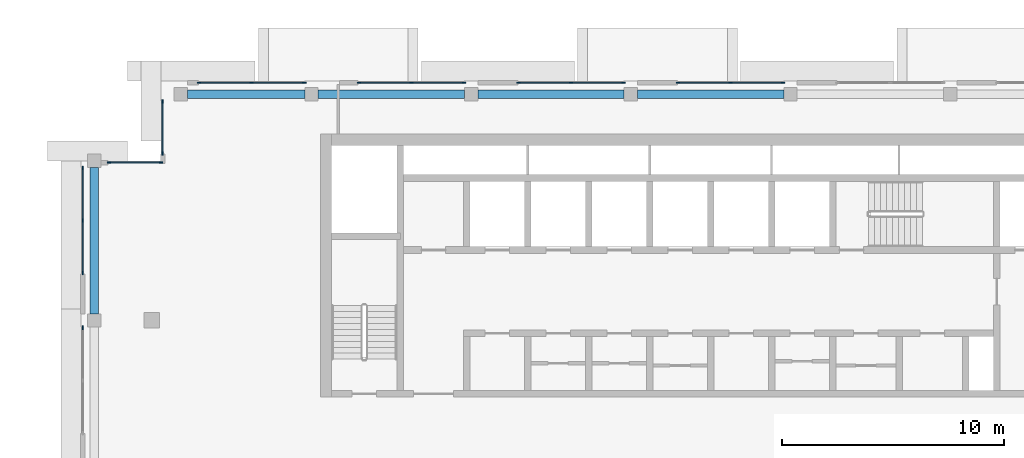
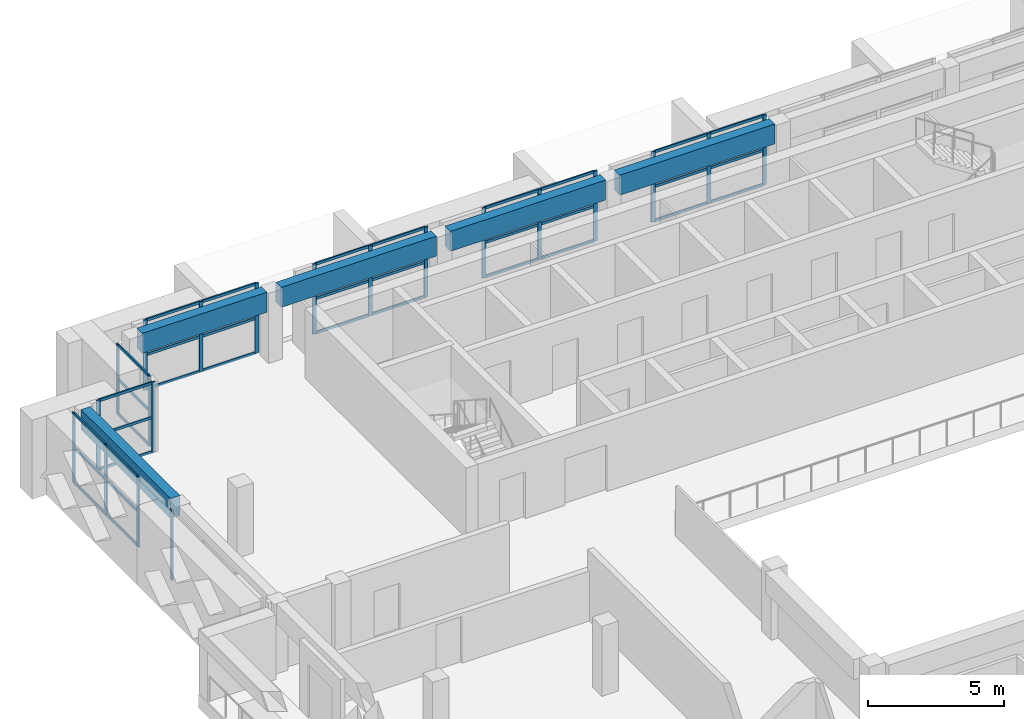
# One storey, part 6 of 22: 56 members, 5 beams, 8 elements without a shape of their own.
"""IFC4 building model written with IfcOpenShell, lengths in metres."""

from ifc_helpers import new_model, si_unit, direction, frame, origin, origin_2d, place, context, subcontext, project, spatial, rectangle, extrude, source, transform, mapped, material, layer, layer_set, material_profile, profile_set, type_object, element, aggregate, save


model = new_model("IFC4")

# Units and contexts
model_context = context("Model", 3, precision=1e-05, world=origin(), true_north=direction((0.0, 1.0)))
body_context = subcontext(model_context, "Body", "Model", "MODEL_VIEW")
ifc_project = project(units=[si_unit("LENGTHUNIT", "METRE"), si_unit("AREAUNIT", "SQUARE_METRE"), si_unit("VOLUMEUNIT", "CUBIC_METRE"), si_unit("PLANEANGLEUNIT", "RADIAN"), si_unit("MASSUNIT", "GRAM", prefix="KILO")], contexts=[model_context])

# Site, building, storey
site_placement = place(None, origin())
site = spatial("IfcSite", under=ifc_project, at=site_placement, CompositionType="ELEMENT")
building_placement = place(site_placement, origin())
building = spatial("IfcBuilding", under=site, at=building_placement, Name="Saffron Iwan Residences", CompositionType="ELEMENT")
storey_placement = place(building_placement, frame((0.0, 0.0, 271.0)))
storey = spatial("IfcBuildingStorey", under=building, at=storey_placement, Name="L73", CompositionType="ELEMENT", Elevation=271.0)

# Beams
ifc_material_1 = material(Name="Concrete C40/50", Category="concrete")
ifc_material_profile_1 = material_profile(ifc_material_1, rectangle(XDim=0.39990234375, YDim=0.89990234375, at=origin_2d()), Name="RC 400x900")
ifc_profile_set_1 = profile_set([ifc_material_profile_1], Name="Concrete C40/50")
beam_type = type_object("IfcBeamType", Name="SPANDREL BEAM RC 400x900 C40/50 TOP 3150", PredefinedType="SPANDREL", material=ifc_profile_set_1)
shared_shape_1 = source(origin(), body_context, "Body", "SweptSolid", [
    extrude(rectangle(XDim=0.39990234375, YDim=0.89990234375, at=origin_2d()), origin(), (0.0, 0.0, 1.0), 6.599853515625),
])
for number, where, z_axis, x_axis, name in (
    (1, (29.10009765625, 79.800048828125, 2.699951171875), (1.0, 0.0, 0.0), (0.0, 1.0, 0.0), "Spandrel beam"),
    (2, (36.300048828125, 79.800048828125, 2.699951171875), (1.0, 0.0, 0.0), (0.0, 1.0, 0.0), "Spandrel beam"),
):
    element("IfcBeam", number, at=place(storey_placement, frame(where, z_axis=z_axis, x_axis=x_axis)), inside=storey, type_object=beam_type, Name=name, PredefinedType="SPANDREL", context=body_context, shape_type="MappedRepresentation", body=[
        mapped(shared_shape_1, transform((0.0, 0.0, 0.0))),
    ])
shared_shape_2 = source(origin(), body_context, "Body", "SweptSolid", [
    extrude(rectangle(XDim=0.39990234375, YDim=0.89990234375, at=origin_2d()), origin(), (0.0, 0.0, 1.0), 6.60009765625),
])
for number, where, z_axis, x_axis, name in (
    (3, (19.0, 69.89990234375, 2.699951171875), (0.0, 1.0, 0.0), (-1.0, 0.0, 0.0), "Spandrel beam"),
    (4, (43.5, 79.800048828125, 2.699951171875), (1.0, 0.0, 0.0), (0.0, 1.0, 0.0), "Spandrel beam"),
):
    element("IfcBeam", number, at=place(storey_placement, frame(where, z_axis=z_axis, x_axis=x_axis)), inside=storey, type_object=beam_type, Name=name, PredefinedType="SPANDREL", context=body_context, shape_type="MappedRepresentation", body=[
        mapped(shared_shape_2, transform((0.0, 0.0, 0.0))),
    ])
shared_shape_3 = source(origin(), body_context, "Body", "SweptSolid", [
    extrude(rectangle(XDim=0.39990234375, YDim=0.89990234375, at=origin_2d()), origin(), (0.0, 0.0, 1.0), 5.300048828125),
])
beam_placement = place(storey_placement, frame((23.199951171875, 79.800048828125, 2.699951171875), z_axis=(1.0, 0.0, 0.0), x_axis=(0.0, 1.0, 0.0)))
element("IfcBeam", 5, at=beam_placement, inside=storey, type_object=beam_type, Name="Spandrel beam", PredefinedType="SPANDREL", context=body_context, shape_type="MappedRepresentation", body=[
    mapped(shared_shape_3, transform((0.0, 0.0, 0.0))),
])

# Curtain wall, members
ifc_material_2 = material(Name="Clear glass, laminated double glazed", Category="glass")
ifc_layer = layer(ifc_material_2, 0.14990234375)
ifc_layer_set = layer_set([ifc_layer], Name="Clear glass, laminated double glazed")
curtain_wall_type = type_object("IfcCurtainWallType", Name="CW-E SKY CLUB GLAZING", PredefinedType="NOTDEFINED", material=ifc_layer_set)
curtain_wall_1_placement = place(storey_placement, origin())
curtain_wall_1 = element("IfcCurtainWall", 6, at=curtain_wall_1_placement, inside=storey, type_object=curtain_wall_type, Name="Glazing L73 F5.4", PredefinedType="NOTDEFINED")
ifc_material_3 = material(Name="Aluminium 6063-T6", Category="aluminium")
ifc_material_profile_2 = material_profile(ifc_material_3, rectangle(XDim=0.06005859375, YDim=0.159912109375, at=origin_2d()), Name="CW-E MULLION 60 x 160")
ifc_profile_set_2 = profile_set([ifc_material_profile_2], Name="Aluminium 6063-T6")
member_type_1 = type_object("IfcMemberType", Name="CW-E MULLION 60 x 160", PredefinedType="MULLION", material=ifc_profile_set_2)
shared_shape_4 = source(origin(), body_context, "Body", "SweptSolid", [
    extrude(rectangle(XDim=0.06005859375, YDim=0.159912109375, at=origin_2d()), origin(), (0.0, 0.0, 1.0), 3.14990234375),
])
member_1_placement = place(storey_placement, frame((50.070068359375, 80.320068359375, 0.0), z_axis=(0.0, 0.0, 1.0), x_axis=(0.0, -1.0, 0.0)))
member_1 = element("IfcMember", 7, at=member_1_placement, type_object=member_type_1, Name="CW-E mullion 1", PredefinedType="MULLION", context=body_context, shape_type="MappedRepresentation", body=[
    mapped(shared_shape_4, transform((0.0, 0.0, 0.0))),
])
member_2_placement = place(storey_placement, frame((47.699951171875, 80.320068359375, 0.0), z_axis=(0.0, 0.0, 1.0), x_axis=(0.0, -1.0, 0.0)))
member_2 = element("IfcMember", 8, at=member_2_placement, type_object=member_type_1, Name="CW-E mullion 2", PredefinedType="MULLION", context=body_context, shape_type="MappedRepresentation", body=[
    mapped(shared_shape_4, transform((0.0, 0.0, 0.0))),
])
member_3_placement = place(storey_placement, frame((45.330078125, 80.320068359375, 0.0), z_axis=(0.0, 0.0, 1.0), x_axis=(0.0, -1.0, 0.0)))
member_3 = element("IfcMember", 9, at=member_3_placement, type_object=member_type_1, Name="CW-E mullion 3", PredefinedType="MULLION", context=body_context, shape_type="MappedRepresentation", body=[
    mapped(shared_shape_4, transform((0.0, 0.0, 0.0))),
])

curtain_wall_2_placement = place(storey_placement, origin())
curtain_wall_2 = element("IfcCurtainWall", 10, at=curtain_wall_2_placement, inside=storey, type_object=curtain_wall_type, Name="Glazing L73 F5.5", PredefinedType="NOTDEFINED")
member_4_placement = place(storey_placement, frame((42.8701171875, 80.320068359375, 0.0), z_axis=(0.0, 0.0, 1.0), x_axis=(0.0, -1.0, 0.0)))
member_4 = element("IfcMember", 11, at=member_4_placement, type_object=member_type_1, Name="CW-E mullion 1", PredefinedType="MULLION", context=body_context, shape_type="MappedRepresentation", body=[
    mapped(shared_shape_4, transform((0.0, 0.0, 0.0))),
])
member_5_placement = place(storey_placement, frame((40.5, 80.320068359375, 0.0), z_axis=(0.0, 0.0, 1.0), x_axis=(0.0, -1.0, 0.0)))
member_5 = element("IfcMember", 12, at=member_5_placement, type_object=member_type_1, Name="CW-E mullion 2", PredefinedType="MULLION", context=body_context, shape_type="MappedRepresentation", body=[
    mapped(shared_shape_4, transform((0.0, 0.0, 0.0))),
])
member_6_placement = place(storey_placement, frame((38.1298828125, 80.320068359375, 0.0), z_axis=(0.0, 0.0, 1.0), x_axis=(0.0, -1.0, 0.0)))
member_6 = element("IfcMember", 13, at=member_6_placement, type_object=member_type_1, Name="CW-E mullion 3", PredefinedType="MULLION", context=body_context, shape_type="MappedRepresentation", body=[
    mapped(shared_shape_4, transform((0.0, 0.0, 0.0))),
])

curtain_wall_3_placement = place(storey_placement, origin())
curtain_wall_3 = element("IfcCurtainWall", 14, at=curtain_wall_3_placement, inside=storey, type_object=curtain_wall_type, Name="Glazing L73 F5.6", PredefinedType="NOTDEFINED")
member_7_placement = place(storey_placement, frame((35.669921875, 80.320068359375, 0.0), z_axis=(0.0, 0.0, 1.0), x_axis=(0.0, -1.0, 0.0)))
member_7 = element("IfcMember", 15, at=member_7_placement, type_object=member_type_1, Name="CW-E mullion 1", PredefinedType="MULLION", context=body_context, shape_type="MappedRepresentation", body=[
    mapped(shared_shape_4, transform((0.0, 0.0, 0.0))),
])
member_8_placement = place(storey_placement, frame((33.300048828125, 80.320068359375, 0.0), z_axis=(0.0, 0.0, 1.0), x_axis=(0.0, -1.0, 0.0)))
member_8 = element("IfcMember", 16, at=member_8_placement, type_object=member_type_1, Name="CW-E mullion 2", PredefinedType="MULLION", context=body_context, shape_type="MappedRepresentation", body=[
    mapped(shared_shape_4, transform((0.0, 0.0, 0.0))),
])
member_9_placement = place(storey_placement, frame((30.929931640625, 80.320068359375, 0.0), z_axis=(0.0, 0.0, 1.0), x_axis=(0.0, -1.0, 0.0)))
member_9 = element("IfcMember", 17, at=member_9_placement, type_object=member_type_1, Name="CW-E mullion 3", PredefinedType="MULLION", context=body_context, shape_type="MappedRepresentation", body=[
    mapped(shared_shape_4, transform((0.0, 0.0, 0.0))),
])

curtain_wall_4_placement = place(storey_placement, origin())
curtain_wall_4 = element("IfcCurtainWall", 18, at=curtain_wall_4_placement, inside=storey, type_object=curtain_wall_type, Name="Glazing L73 F5.7", PredefinedType="NOTDEFINED")
member_10_placement = place(storey_placement, frame((28.469970703125, 80.320068359375, 0.0), z_axis=(0.0, 0.0, 1.0), x_axis=(0.0, -1.0, 0.0)))
member_10 = element("IfcMember", 19, at=member_10_placement, type_object=member_type_1, Name="CW-E mullion 1", PredefinedType="MULLION", context=body_context, shape_type="MappedRepresentation", body=[
    mapped(shared_shape_4, transform((0.0, 0.0, 0.0))),
])
member_11_placement = place(storey_placement, frame((26.10009765625, 80.320068359375, 0.0), z_axis=(0.0, 0.0, 1.0), x_axis=(0.0, -1.0, 0.0)))
member_11 = element("IfcMember", 20, at=member_11_placement, type_object=member_type_1, Name="CW-E mullion 2", PredefinedType="MULLION", context=body_context, shape_type="MappedRepresentation", body=[
    mapped(shared_shape_4, transform((0.0, 0.0, 0.0))),
])
member_12_placement = place(storey_placement, frame((23.72998046875, 80.320068359375, 0.0), z_axis=(0.0, 0.0, 1.0), x_axis=(0.0, -1.0, 0.0)))
member_12 = element("IfcMember", 21, at=member_12_placement, type_object=member_type_1, Name="CW-E mullion 3", PredefinedType="MULLION", context=body_context, shape_type="MappedRepresentation", body=[
    mapped(shared_shape_4, transform((0.0, 0.0, 0.0))),
])

curtain_wall_5_placement = place(storey_placement, origin())
curtain_wall_5 = element("IfcCurtainWall", 22, at=curtain_wall_5_placement, inside=storey, type_object=curtain_wall_type, Name="Glazing L73 F6.0", PredefinedType="NOTDEFINED")
member_13_placement = place(storey_placement, frame((22.080078125, 79.469970703125, 0.0), z_axis=(0.0, 0.0, 1.0), x_axis=(1.0, 0.0, 0.0)))
member_13 = element("IfcMember", 23, at=member_13_placement, type_object=member_type_1, Name="CW-E mullion 1", PredefinedType="MULLION", context=body_context, shape_type="MappedRepresentation", body=[
    mapped(shared_shape_4, transform((0.0, 0.0, 0.0))),
])
member_14_placement = place(storey_placement, frame((22.080078125, 77.1298828125, 0.0), z_axis=(0.0, 0.0, 1.0), x_axis=(1.0, 0.0, 0.0)))
member_14 = element("IfcMember", 24, at=member_14_placement, type_object=member_type_1, Name="CW-E mullion 2", PredefinedType="MULLION", context=body_context, shape_type="MappedRepresentation", body=[
    mapped(shared_shape_4, transform((0.0, 0.0, 0.0))),
])

curtain_wall_6_placement = place(storey_placement, origin())
curtain_wall_6 = element("IfcCurtainWall", 25, at=curtain_wall_6_placement, inside=storey, type_object=curtain_wall_type, Name="Glazing L73 F7.0", PredefinedType="NOTDEFINED")
member_15_placement = place(storey_placement, frame((22.0, 76.719970703125, 0.0), z_axis=(0.0, 0.0, 1.0), x_axis=(0.0, -1.0, 0.0)))
member_15 = element("IfcMember", 26, at=member_15_placement, type_object=member_type_1, Name="CW-E mullion 1", PredefinedType="MULLION", context=body_context, shape_type="MappedRepresentation", body=[
    mapped(shared_shape_4, transform((0.0, 0.0, 0.0))),
])
member_16_placement = place(storey_placement, frame((19.659912109375, 76.719970703125, 0.0), z_axis=(0.0, 0.0, 1.0), x_axis=(0.0, -1.0, 0.0)))
member_16 = element("IfcMember", 27, at=member_16_placement, type_object=member_type_1, Name="CW-E mullion 2", PredefinedType="MULLION", context=body_context, shape_type="MappedRepresentation", body=[
    mapped(shared_shape_4, transform((0.0, 0.0, 0.0))),
])

curtain_wall_7_placement = place(storey_placement, origin())
curtain_wall_7 = element("IfcCurtainWall", 28, at=curtain_wall_7_placement, inside=storey, type_object=curtain_wall_type, Name="Glazing L73 F8.0", PredefinedType="NOTDEFINED")
member_17_placement = place(storey_placement, frame((18.47998046875, 76.469970703125, 0.0), z_axis=(0.0, 0.0, 1.0), x_axis=(1.0, 0.0, 0.0)))
member_17 = element("IfcMember", 29, at=member_17_placement, type_object=member_type_1, Name="CW-E mullion 1", PredefinedType="MULLION", context=body_context, shape_type="MappedRepresentation", body=[
    mapped(shared_shape_4, transform((0.0, 0.0, 0.0))),
])
member_18_placement = place(storey_placement, frame((18.47998046875, 74.10009765625, 0.0), z_axis=(0.0, 0.0, 1.0), x_axis=(1.0, 0.0, 0.0)))
member_18 = element("IfcMember", 30, at=member_18_placement, type_object=member_type_1, Name="CW-E mullion 2", PredefinedType="MULLION", context=body_context, shape_type="MappedRepresentation", body=[
    mapped(shared_shape_4, transform((0.0, 0.0, 0.0))),
])
member_19_placement = place(storey_placement, frame((18.47998046875, 71.72998046875, 0.0), z_axis=(0.0, 0.0, 1.0), x_axis=(1.0, 0.0, 0.0)))
member_19 = element("IfcMember", 31, at=member_19_placement, type_object=member_type_1, Name="CW-E mullion 3", PredefinedType="MULLION", context=body_context, shape_type="MappedRepresentation", body=[
    mapped(shared_shape_4, transform((0.0, 0.0, 0.0))),
])

# Curtain wall, member
curtain_wall_8_placement = place(storey_placement, origin())
curtain_wall_8 = element("IfcCurtainWall", 32, at=curtain_wall_8_placement, inside=storey, type_object=curtain_wall_type, Name="Glazing L73 F8.1", PredefinedType="NOTDEFINED")
member_20_placement = place(storey_placement, frame((18.47998046875, 69.27001953125, 0.0), z_axis=(0.0, 0.0, 1.0), x_axis=(1.0, 0.0, 0.0)))
member_20 = element("IfcMember", 33, at=member_20_placement, type_object=member_type_1, Name="CW-E mullion 1", PredefinedType="MULLION", context=body_context, shape_type="MappedRepresentation", body=[
    mapped(shared_shape_4, transform((0.0, 0.0, 0.0))),
])
aggregate(curtain_wall_8, [member_20])

# Member
ifc_material_profile_3 = material_profile(ifc_material_3, rectangle(XDim=0.06005859375, YDim=0.1201171875, at=origin_2d()), Name="CW-E TRANSOM 60 x 120")
ifc_profile_set_3 = profile_set([ifc_material_profile_3], Name="Aluminium 6063-T6")
member_type_2 = type_object("IfcMemberType", Name="CW-E TRANSOM 60 x 120", PredefinedType="USERDEFINED", material=ifc_profile_set_3)
shared_shape_5 = source(origin(), body_context, "Body", "SweptSolid", [
    extrude(rectangle(XDim=0.06005859375, YDim=0.1201171875, at=origin_2d()), origin(), (0.0, 0.0, 1.0), 2.280029296875),
])
member_21_placement = place(storey_placement, frame((22.080078125, 79.43994140625, 0.030029296875), z_axis=(0.0, -1.0, 0.0), x_axis=(1.0, 0.0, 0.0)))
member_21 = element("IfcMember", 34, at=member_21_placement, type_object=member_type_2, Name="CW-E transom 1.1", ObjectType="TRANSOM", PredefinedType="USERDEFINED", context=body_context, shape_type="MappedRepresentation", body=[
    mapped(shared_shape_5, transform((0.0, 0.0, 0.0))),
])

member_22_placement = place(storey_placement, frame((22.080078125, 79.43994140625, 1.574951171875), z_axis=(0.0, -1.0, 0.0), x_axis=(1.0, 0.0, 0.0)))
member_22 = element("IfcMember", 35, at=member_22_placement, type_object=member_type_2, Name="CW-E transom 1.2", ObjectType="TRANSOM", PredefinedType="USERDEFINED", context=body_context, shape_type="MappedRepresentation", body=[
    mapped(shared_shape_5, transform((0.0, 0.0, 0.0))),
])

member_23_placement = place(storey_placement, frame((22.080078125, 79.43994140625, 3.1201171875), z_axis=(0.0, -1.0, 0.0), x_axis=(1.0, 0.0, 0.0)))
member_23 = element("IfcMember", 36, at=member_23_placement, type_object=member_type_2, Name="CW-E transom 1.3", ObjectType="TRANSOM", PredefinedType="USERDEFINED", context=body_context, shape_type="MappedRepresentation", body=[
    mapped(shared_shape_5, transform((0.0, 0.0, 0.0))),
])

aggregate(curtain_wall_5, [member_13, member_14, member_21, member_22, member_23])

member_24_placement = place(storey_placement, frame((21.969970703125, 76.719970703125, 0.030029296875), z_axis=(-1.0, 0.0, 0.0), x_axis=(0.0, -1.0, 0.0)))
member_24 = element("IfcMember", 37, at=member_24_placement, type_object=member_type_2, Name="CW-E transom 1.1", ObjectType="TRANSOM", PredefinedType="USERDEFINED", context=body_context, shape_type="MappedRepresentation", body=[
    mapped(shared_shape_5, transform((0.0, 0.0, 0.0))),
])

member_25_placement = place(storey_placement, frame((21.969970703125, 76.719970703125, 1.574951171875), z_axis=(-1.0, 0.0, 0.0), x_axis=(0.0, -1.0, 0.0)))
member_25 = element("IfcMember", 38, at=member_25_placement, type_object=member_type_2, Name="CW-E transom 1.2", ObjectType="TRANSOM", PredefinedType="USERDEFINED", context=body_context, shape_type="MappedRepresentation", body=[
    mapped(shared_shape_5, transform((0.0, 0.0, 0.0))),
])

member_26_placement = place(storey_placement, frame((21.969970703125, 76.719970703125, 3.1201171875), z_axis=(-1.0, 0.0, 0.0), x_axis=(0.0, -1.0, 0.0)))
member_26 = element("IfcMember", 39, at=member_26_placement, type_object=member_type_2, Name="CW-E transom 1.3", ObjectType="TRANSOM", PredefinedType="USERDEFINED", context=body_context, shape_type="MappedRepresentation", body=[
    mapped(shared_shape_5, transform((0.0, 0.0, 0.0))),
])

aggregate(curtain_wall_6, [member_15, member_16, member_24, member_25, member_26])

shared_shape_6 = source(origin(), body_context, "Body", "SweptSolid", [
    extrude(rectangle(XDim=0.06005859375, YDim=0.1201171875, at=origin_2d()), origin(), (0.0, 0.0, 1.0), 2.31005859375),
])
member_27_placement = place(storey_placement, frame((50.0400390625, 80.320068359375, 0.030029296875), z_axis=(-1.0, 0.0, 0.0), x_axis=(0.0, -1.0, 0.0)))
member_27 = element("IfcMember", 40, at=member_27_placement, type_object=member_type_2, Name="CW-E transom 1.1", ObjectType="TRANSOM", PredefinedType="USERDEFINED", context=body_context, shape_type="MappedRepresentation", body=[
    mapped(shared_shape_6, transform((0.0, 0.0, 0.0))),
])

member_28_placement = place(storey_placement, frame((50.0400390625, 80.320068359375, 1.574951171875), z_axis=(-1.0, 0.0, 0.0), x_axis=(0.0, -1.0, 0.0)))
member_28 = element("IfcMember", 41, at=member_28_placement, type_object=member_type_2, Name="CW-E transom 1.2", ObjectType="TRANSOM", PredefinedType="USERDEFINED", context=body_context, shape_type="MappedRepresentation", body=[
    mapped(shared_shape_6, transform((0.0, 0.0, 0.0))),
])

member_29_placement = place(storey_placement, frame((50.0400390625, 80.320068359375, 3.1201171875), z_axis=(-1.0, 0.0, 0.0), x_axis=(0.0, -1.0, 0.0)))
member_29 = element("IfcMember", 42, at=member_29_placement, type_object=member_type_2, Name="CW-E transom 1.3", ObjectType="TRANSOM", PredefinedType="USERDEFINED", context=body_context, shape_type="MappedRepresentation", body=[
    mapped(shared_shape_6, transform((0.0, 0.0, 0.0))),
])

member_30_placement = place(storey_placement, frame((42.840087890625, 80.320068359375, 0.030029296875), z_axis=(-1.0, 0.0, 0.0), x_axis=(0.0, -1.0, 0.0)))
member_30 = element("IfcMember", 43, at=member_30_placement, type_object=member_type_2, Name="CW-E transom 1.1", ObjectType="TRANSOM", PredefinedType="USERDEFINED", context=body_context, shape_type="MappedRepresentation", body=[
    mapped(shared_shape_6, transform((0.0, 0.0, 0.0))),
])

member_31_placement = place(storey_placement, frame((42.840087890625, 80.320068359375, 1.574951171875), z_axis=(-1.0, 0.0, 0.0), x_axis=(0.0, -1.0, 0.0)))
member_31 = element("IfcMember", 44, at=member_31_placement, type_object=member_type_2, Name="CW-E transom 1.2", ObjectType="TRANSOM", PredefinedType="USERDEFINED", context=body_context, shape_type="MappedRepresentation", body=[
    mapped(shared_shape_6, transform((0.0, 0.0, 0.0))),
])

member_32_placement = place(storey_placement, frame((42.840087890625, 80.320068359375, 3.1201171875), z_axis=(-1.0, 0.0, 0.0), x_axis=(0.0, -1.0, 0.0)))
member_32 = element("IfcMember", 45, at=member_32_placement, type_object=member_type_2, Name="CW-E transom 1.3", ObjectType="TRANSOM", PredefinedType="USERDEFINED", context=body_context, shape_type="MappedRepresentation", body=[
    mapped(shared_shape_6, transform((0.0, 0.0, 0.0))),
])

member_33_placement = place(storey_placement, frame((40.469970703125, 80.320068359375, 0.030029296875), z_axis=(-1.0, 0.0, 0.0), x_axis=(0.0, -1.0, 0.0)))
member_33 = element("IfcMember", 46, at=member_33_placement, type_object=member_type_2, Name="CW-E transom 2.1", ObjectType="TRANSOM", PredefinedType="USERDEFINED", context=body_context, shape_type="MappedRepresentation", body=[
    mapped(shared_shape_6, transform((0.0, 0.0, 0.0))),
])

member_34_placement = place(storey_placement, frame((40.469970703125, 80.320068359375, 1.574951171875), z_axis=(-1.0, 0.0, 0.0), x_axis=(0.0, -1.0, 0.0)))
member_34 = element("IfcMember", 47, at=member_34_placement, type_object=member_type_2, Name="CW-E transom 2.2", ObjectType="TRANSOM", PredefinedType="USERDEFINED", context=body_context, shape_type="MappedRepresentation", body=[
    mapped(shared_shape_6, transform((0.0, 0.0, 0.0))),
])

member_35_placement = place(storey_placement, frame((40.469970703125, 80.320068359375, 3.1201171875), z_axis=(-1.0, 0.0, 0.0), x_axis=(0.0, -1.0, 0.0)))
member_35 = element("IfcMember", 48, at=member_35_placement, type_object=member_type_2, Name="CW-E transom 2.3", ObjectType="TRANSOM", PredefinedType="USERDEFINED", context=body_context, shape_type="MappedRepresentation", body=[
    mapped(shared_shape_6, transform((0.0, 0.0, 0.0))),
])

aggregate(curtain_wall_2, [member_4, member_5, member_6, member_30, member_31, member_32, member_33, member_34, member_35])

member_36_placement = place(storey_placement, frame((33.27001953125, 80.320068359375, 0.030029296875), z_axis=(-1.0, 0.0, 0.0), x_axis=(0.0, -1.0, 0.0)))
member_36 = element("IfcMember", 49, at=member_36_placement, type_object=member_type_2, Name="CW-E transom 2.1", ObjectType="TRANSOM", PredefinedType="USERDEFINED", context=body_context, shape_type="MappedRepresentation", body=[
    mapped(shared_shape_6, transform((0.0, 0.0, 0.0))),
])

member_37_placement = place(storey_placement, frame((33.27001953125, 80.320068359375, 1.574951171875), z_axis=(-1.0, 0.0, 0.0), x_axis=(0.0, -1.0, 0.0)))
member_37 = element("IfcMember", 50, at=member_37_placement, type_object=member_type_2, Name="CW-E transom 2.2", ObjectType="TRANSOM", PredefinedType="USERDEFINED", context=body_context, shape_type="MappedRepresentation", body=[
    mapped(shared_shape_6, transform((0.0, 0.0, 0.0))),
])

member_38_placement = place(storey_placement, frame((33.27001953125, 80.320068359375, 3.1201171875), z_axis=(-1.0, 0.0, 0.0), x_axis=(0.0, -1.0, 0.0)))
member_38 = element("IfcMember", 51, at=member_38_placement, type_object=member_type_2, Name="CW-E transom 2.3", ObjectType="TRANSOM", PredefinedType="USERDEFINED", context=body_context, shape_type="MappedRepresentation", body=[
    mapped(shared_shape_6, transform((0.0, 0.0, 0.0))),
])

member_39_placement = place(storey_placement, frame((28.43994140625, 80.320068359375, 0.030029296875), z_axis=(-1.0, 0.0, 0.0), x_axis=(0.0, -1.0, 0.0)))
member_39 = element("IfcMember", 52, at=member_39_placement, type_object=member_type_2, Name="CW-E transom 1.1", ObjectType="TRANSOM", PredefinedType="USERDEFINED", context=body_context, shape_type="MappedRepresentation", body=[
    mapped(shared_shape_6, transform((0.0, 0.0, 0.0))),
])

member_40_placement = place(storey_placement, frame((28.43994140625, 80.320068359375, 1.574951171875), z_axis=(-1.0, 0.0, 0.0), x_axis=(0.0, -1.0, 0.0)))
member_40 = element("IfcMember", 53, at=member_40_placement, type_object=member_type_2, Name="CW-E transom 1.2", ObjectType="TRANSOM", PredefinedType="USERDEFINED", context=body_context, shape_type="MappedRepresentation", body=[
    mapped(shared_shape_6, transform((0.0, 0.0, 0.0))),
])

member_41_placement = place(storey_placement, frame((28.43994140625, 80.320068359375, 3.1201171875), z_axis=(-1.0, 0.0, 0.0), x_axis=(0.0, -1.0, 0.0)))
member_41 = element("IfcMember", 54, at=member_41_placement, type_object=member_type_2, Name="CW-E transom 1.3", ObjectType="TRANSOM", PredefinedType="USERDEFINED", context=body_context, shape_type="MappedRepresentation", body=[
    mapped(shared_shape_6, transform((0.0, 0.0, 0.0))),
])

member_42_placement = place(storey_placement, frame((26.070068359375, 80.320068359375, 0.030029296875), z_axis=(-1.0, 0.0, 0.0), x_axis=(0.0, -1.0, 0.0)))
member_42 = element("IfcMember", 55, at=member_42_placement, type_object=member_type_2, Name="CW-E transom 2.1", ObjectType="TRANSOM", PredefinedType="USERDEFINED", context=body_context, shape_type="MappedRepresentation", body=[
    mapped(shared_shape_6, transform((0.0, 0.0, 0.0))),
])

member_43_placement = place(storey_placement, frame((26.070068359375, 80.320068359375, 1.574951171875), z_axis=(-1.0, 0.0, 0.0), x_axis=(0.0, -1.0, 0.0)))
member_43 = element("IfcMember", 56, at=member_43_placement, type_object=member_type_2, Name="CW-E transom 2.2", ObjectType="TRANSOM", PredefinedType="USERDEFINED", context=body_context, shape_type="MappedRepresentation", body=[
    mapped(shared_shape_6, transform((0.0, 0.0, 0.0))),
])

member_44_placement = place(storey_placement, frame((26.070068359375, 80.320068359375, 3.1201171875), z_axis=(-1.0, 0.0, 0.0), x_axis=(0.0, -1.0, 0.0)))
member_44 = element("IfcMember", 57, at=member_44_placement, type_object=member_type_2, Name="CW-E transom 2.3", ObjectType="TRANSOM", PredefinedType="USERDEFINED", context=body_context, shape_type="MappedRepresentation", body=[
    mapped(shared_shape_6, transform((0.0, 0.0, 0.0))),
])

aggregate(curtain_wall_4, [member_10, member_11, member_12, member_39, member_40, member_41, member_42, member_43, member_44])

member_45_placement = place(storey_placement, frame((18.47998046875, 76.43994140625, 0.030029296875), z_axis=(0.0, -1.0, 0.0), x_axis=(1.0, 0.0, 0.0)))
member_45 = element("IfcMember", 58, at=member_45_placement, type_object=member_type_2, Name="CW-E transom 1.1", ObjectType="TRANSOM", PredefinedType="USERDEFINED", context=body_context, shape_type="MappedRepresentation", body=[
    mapped(shared_shape_6, transform((0.0, 0.0, 0.0))),
])

member_46_placement = place(storey_placement, frame((18.47998046875, 76.43994140625, 1.574951171875), z_axis=(0.0, -1.0, 0.0), x_axis=(1.0, 0.0, 0.0)))
member_46 = element("IfcMember", 59, at=member_46_placement, type_object=member_type_2, Name="CW-E transom 1.2", ObjectType="TRANSOM", PredefinedType="USERDEFINED", context=body_context, shape_type="MappedRepresentation", body=[
    mapped(shared_shape_6, transform((0.0, 0.0, 0.0))),
])

member_47_placement = place(storey_placement, frame((18.47998046875, 76.43994140625, 3.1201171875), z_axis=(0.0, -1.0, 0.0), x_axis=(1.0, 0.0, 0.0)))
member_47 = element("IfcMember", 60, at=member_47_placement, type_object=member_type_2, Name="CW-E transom 1.3", ObjectType="TRANSOM", PredefinedType="USERDEFINED", context=body_context, shape_type="MappedRepresentation", body=[
    mapped(shared_shape_6, transform((0.0, 0.0, 0.0))),
])

member_48_placement = place(storey_placement, frame((18.47998046875, 74.070068359375, 0.030029296875), z_axis=(0.0, -1.0, 0.0), x_axis=(1.0, 0.0, 0.0)))
member_48 = element("IfcMember", 61, at=member_48_placement, type_object=member_type_2, Name="CW-E transom 2.1", ObjectType="TRANSOM", PredefinedType="USERDEFINED", context=body_context, shape_type="MappedRepresentation", body=[
    mapped(shared_shape_6, transform((0.0, 0.0, 0.0))),
])

member_49_placement = place(storey_placement, frame((18.47998046875, 74.070068359375, 1.574951171875), z_axis=(0.0, -1.0, 0.0), x_axis=(1.0, 0.0, 0.0)))
member_49 = element("IfcMember", 62, at=member_49_placement, type_object=member_type_2, Name="CW-E transom 2.2", ObjectType="TRANSOM", PredefinedType="USERDEFINED", context=body_context, shape_type="MappedRepresentation", body=[
    mapped(shared_shape_6, transform((0.0, 0.0, 0.0))),
])

member_50_placement = place(storey_placement, frame((18.47998046875, 74.070068359375, 3.1201171875), z_axis=(0.0, -1.0, 0.0), x_axis=(1.0, 0.0, 0.0)))
member_50 = element("IfcMember", 63, at=member_50_placement, type_object=member_type_2, Name="CW-E transom 2.3", ObjectType="TRANSOM", PredefinedType="USERDEFINED", context=body_context, shape_type="MappedRepresentation", body=[
    mapped(shared_shape_6, transform((0.0, 0.0, 0.0))),
])

aggregate(curtain_wall_7, [member_17, member_18, member_19, member_45, member_46, member_47, member_48, member_49, member_50])

shared_shape_7 = source(origin(), body_context, "Body", "SweptSolid", [
    extrude(rectangle(XDim=0.06005859375, YDim=0.1201171875, at=origin_2d()), origin(), (0.0, 0.0, 1.0), 2.309814453125),
])
member_51_placement = place(storey_placement, frame((47.669921875, 80.320068359375, 0.030029296875), z_axis=(-1.0, 0.0, 0.0), x_axis=(0.0, -1.0, 0.0)))
member_51 = element("IfcMember", 64, at=member_51_placement, type_object=member_type_2, Name="CW-E transom 2.1", ObjectType="TRANSOM", PredefinedType="USERDEFINED", context=body_context, shape_type="MappedRepresentation", body=[
    mapped(shared_shape_7, transform((0.0, 0.0, 0.0))),
])

member_52_placement = place(storey_placement, frame((47.669921875, 80.320068359375, 1.574951171875), z_axis=(-1.0, 0.0, 0.0), x_axis=(0.0, -1.0, 0.0)))
member_52 = element("IfcMember", 65, at=member_52_placement, type_object=member_type_2, Name="CW-E transom 2.2", ObjectType="TRANSOM", PredefinedType="USERDEFINED", context=body_context, shape_type="MappedRepresentation", body=[
    mapped(shared_shape_7, transform((0.0, 0.0, 0.0))),
])

member_53_placement = place(storey_placement, frame((47.669921875, 80.320068359375, 3.1201171875), z_axis=(-1.0, 0.0, 0.0), x_axis=(0.0, -1.0, 0.0)))
member_53 = element("IfcMember", 66, at=member_53_placement, type_object=member_type_2, Name="CW-E transom 2.3", ObjectType="TRANSOM", PredefinedType="USERDEFINED", context=body_context, shape_type="MappedRepresentation", body=[
    mapped(shared_shape_7, transform((0.0, 0.0, 0.0))),
])

aggregate(curtain_wall_1, [member_1, member_2, member_3, member_27, member_28, member_29, member_51, member_52, member_53])

member_54_placement = place(storey_placement, frame((35.639892578125, 80.320068359375, 0.030029296875), z_axis=(-1.0, 0.0, 0.0), x_axis=(0.0, -1.0, 0.0)))
member_54 = element("IfcMember", 67, at=member_54_placement, type_object=member_type_2, Name="CW-E transom 1.1", ObjectType="TRANSOM", PredefinedType="USERDEFINED", context=body_context, shape_type="MappedRepresentation", body=[
    mapped(shared_shape_7, transform((0.0, 0.0, 0.0))),
])

member_55_placement = place(storey_placement, frame((35.639892578125, 80.320068359375, 1.574951171875), z_axis=(-1.0, 0.0, 0.0), x_axis=(0.0, -1.0, 0.0)))
member_55 = element("IfcMember", 68, at=member_55_placement, type_object=member_type_2, Name="CW-E transom 1.2", ObjectType="TRANSOM", PredefinedType="USERDEFINED", context=body_context, shape_type="MappedRepresentation", body=[
    mapped(shared_shape_7, transform((0.0, 0.0, 0.0))),
])

member_56_placement = place(storey_placement, frame((35.639892578125, 80.320068359375, 3.1201171875), z_axis=(-1.0, 0.0, 0.0), x_axis=(0.0, -1.0, 0.0)))
member_56 = element("IfcMember", 69, at=member_56_placement, type_object=member_type_2, Name="CW-E transom 1.3", ObjectType="TRANSOM", PredefinedType="USERDEFINED", context=body_context, shape_type="MappedRepresentation", body=[
    mapped(shared_shape_7, transform((0.0, 0.0, 0.0))),
])

aggregate(curtain_wall_3, [member_7, member_8, member_9, member_54, member_55, member_56, member_36, member_37, member_38])

save(model, "model.ifc")
